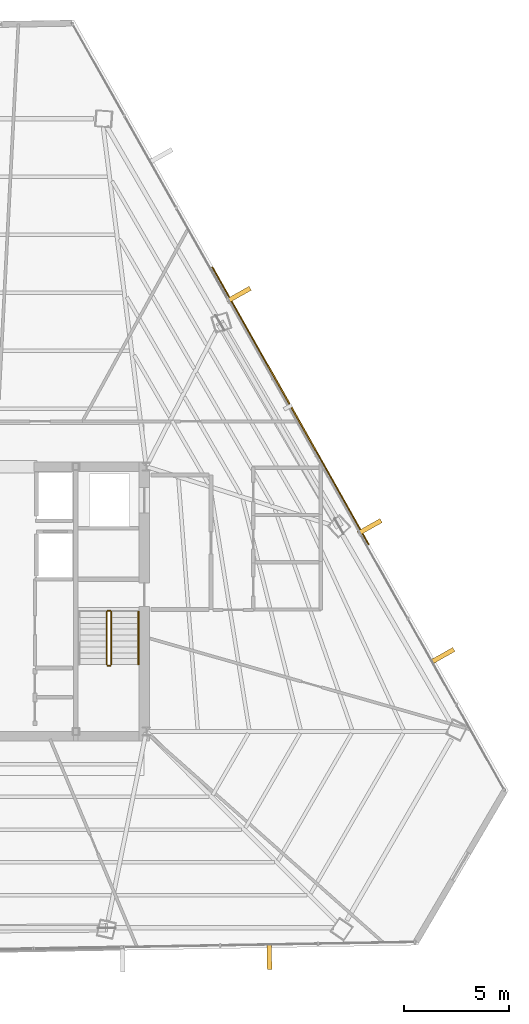
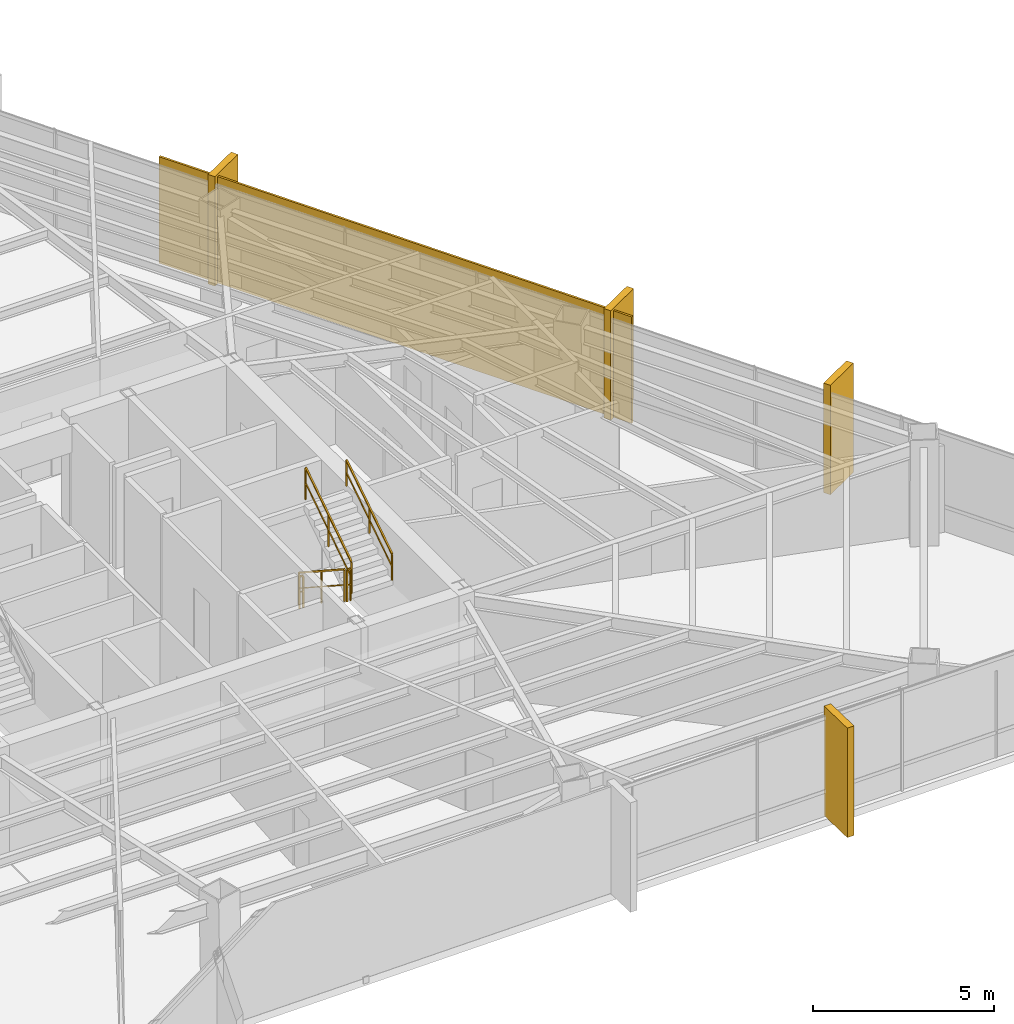
# One storey, part 41 of 42: 5 railings, 4 coverings, 1 shading device.
"""IFC4 building model written with IfcOpenShell, lengths in metres."""

from ifc_helpers import new_model, si_unit, direction, frame, origin, origin_2d, place, context, subcontext, project, spatial, rectangle, extrude, source, transform, mapped, material, layer, layer_set, type_object, type_shapes, element, save


model = new_model("IFC4")

# Units and contexts
model_context = context("Model", 3, precision=1e-05, world=origin(), true_north=direction((0.0, 1.0)))
body_context = subcontext(model_context, "Body", "Model", "MODEL_VIEW")
ifc_project = project(units=[si_unit("LENGTHUNIT", "METRE"), si_unit("AREAUNIT", "SQUARE_METRE"), si_unit("VOLUMEUNIT", "CUBIC_METRE"), si_unit("PLANEANGLEUNIT", "RADIAN"), si_unit("MASSUNIT", "GRAM", prefix="KILO")], contexts=[model_context])

# Site, building, storey
site_placement = place(None, origin())
site = spatial("IfcSite", under=ifc_project, at=site_placement, CompositionType="ELEMENT")
building_placement = place(site_placement, origin())
building = spatial("IfcBuilding", under=site, at=building_placement, Name="Caelisora Broadcast Tower", CompositionType="ELEMENT")
storey_placement = place(building_placement, frame((0.0, 0.0, 187.699951171875)))
storey = spatial("IfcBuildingStorey", under=building, at=storey_placement, Name="L49", CompositionType="ELEMENT", Elevation=187.699951171875)

# Railings
ifc_material_1 = material(Name="Galvanised Steel Safety Guardrail", Category="steel")
ifc_layer_1 = layer(ifc_material_1, 0.048095703125, Name="Galvanised Steel Safety Guardrail")
ifc_layer_set_1 = layer_set([ifc_layer_1], Name="Galvanised Steel Safety Guardrail")
railing_type_1 = type_object("IfcRailingType", Name="GR-1", PredefinedType="GUARDRAIL", material=ifc_layer_set_1)
railing_1_placement = place(storey_placement, frame((43.610107421875, 23.10009765625, 0.1826171875)))
element("IfcRailing", 1, at=railing_1_placement, inside=storey, type_object=railing_type_1, Name="L49 ST-2 stair guard 1", PredefinedType="GUARDRAIL", context=body_context, shape_type="SweptSolid", body=[
    extrude(rectangle(XDim=0.048095703125, YDim=0.048095703125, at=origin_2d()), frame((0.0, 0.0, 1.076171875), z_axis=(0.0, -0.837786554691, 0.545997883492), x_axis=(1.0, 0.0, 0.0)), (0.0, 0.0, 1.0), 3.008056640625),
    extrude(rectangle(XDim=0.03125, YDim=0.03125, at=origin_2d()), frame((0.0, 0.0, 0.550048828125), z_axis=(0.0, -0.837786554691, 0.545997883492), x_axis=(1.0, 0.0, 0.0)), (0.0, 0.0, 1.0), 3.008056640625),
    extrude(rectangle(XDim=0.0419921875, YDim=0.0419921875, at=origin_2d()), origin(), (0.0, 0.0, 1.0), 1.052001953125),
    extrude(rectangle(XDim=0.0419921875, YDim=0.0419921875, at=origin_2d()), frame((0.0, -1.260009765625, 0.8212890625)), (0.0, 0.0, 1.0), 1.052001953125),
    extrude(rectangle(XDim=0.0419921875, YDim=0.0419921875, at=origin_2d()), frame((0.0, -2.52001953125, 1.642333984375)), (0.0, 0.0, 1.0), 1.052001953125),
])
railing_2_placement = place(storey_placement, frame((43.659912109375, 20.530029296875, 1.824951171875)))
element("IfcRailing", 2, at=railing_2_placement, inside=storey, type_object=railing_type_1, Name="L49 ST-2 stair guard 2", PredefinedType="GUARDRAIL", context=body_context, shape_type="SweptSolid", body=[
    extrude(rectangle(XDim=0.048095703125, YDim=0.048095703125, at=origin_2d()), frame((0.0, 0.0, 1.076171875), z_axis=(1.0, 0.0, 0.0), x_axis=(0.0, 1.0, 0.0)), (0.0, 0.0, 1.0), 0.1201171875),
    extrude(rectangle(XDim=0.03125, YDim=0.03125, at=origin_2d()), frame((0.0, 0.0, 0.550048828125), z_axis=(1.0, 0.0, 0.0), x_axis=(0.0, 1.0, 0.0)), (0.0, 0.0, 1.0), 0.1201171875),
    extrude(rectangle(XDim=0.0419921875, YDim=0.0419921875, at=origin_2d()), origin(), (0.0, 0.0, 1.0), 1.052001953125),
    extrude(rectangle(XDim=0.0419921875, YDim=0.0419921875, at=origin_2d()), frame((0.1201171875, 0.0, 0.0)), (0.0, 0.0, 1.0), 1.052001953125),
])
railing_3_placement = place(storey_placement, frame((43.830078125, 20.580078125, 2.007568359375)))
element("IfcRailing", 3, at=railing_3_placement, inside=storey, type_object=railing_type_1, Name="L49 ST-2 stair guard 3", PredefinedType="GUARDRAIL", context=body_context, shape_type="SweptSolid", body=[
    extrude(rectangle(XDim=0.048095703125, YDim=0.048095703125, at=origin_2d()), frame((0.0, 0.0, 1.076171875), z_axis=(0.0, 0.837749427056, 0.546054848405), x_axis=(-1.0, 0.0, 0.0)), (0.0, 0.0, 1.0), 3.008056640625),
    extrude(rectangle(XDim=0.03125, YDim=0.03125, at=origin_2d()), frame((0.0, 0.0, 0.550048828125), z_axis=(0.0, 0.837749427056, 0.546054848405), x_axis=(-1.0, 0.0, 0.0)), (0.0, 0.0, 1.0), 3.008056640625),
    extrude(rectangle(XDim=0.0419921875, YDim=0.0419921875, at=origin_2d()), origin(), (0.0, 0.0, 1.0), 1.052001953125),
    extrude(rectangle(XDim=0.0419921875, YDim=0.0419921875, at=origin_2d()), frame((0.0, 1.260009765625, 0.8212890625)), (0.0, 0.0, 1.0), 1.052001953125),
    extrude(rectangle(XDim=0.0419921875, YDim=0.0419921875, at=origin_2d()), frame((0.0, 2.52001953125, 1.642578125)), (0.0, 0.0, 1.0), 1.052001953125),
])
railing_4_placement = place(storey_placement, frame((43.659912109375, 23.14990234375, 0.0)))
element("IfcRailing", 4, at=railing_4_placement, inside=storey, type_object=railing_type_1, Name="L49 ST-2 stair guard 4", PredefinedType="GUARDRAIL", context=body_context, shape_type="SweptSolid", body=[
    extrude(rectangle(XDim=0.048095703125, YDim=0.048095703125, at=origin_2d()), frame((0.0, 0.0, 1.076171875), z_axis=(1.0, 0.0, 0.0), x_axis=(0.0, 1.0, 0.0)), (0.0, 0.0, 1.0), 0.1201171875),
    extrude(rectangle(XDim=0.03125, YDim=0.03125, at=origin_2d()), frame((0.0, 0.0, 0.550048828125), z_axis=(1.0, 0.0, 0.0), x_axis=(0.0, 1.0, 0.0)), (0.0, 0.0, 1.0), 0.1201171875),
    extrude(rectangle(XDim=0.0419921875, YDim=0.0419921875, at=origin_2d()), origin(), (0.0, 0.0, 1.0), 1.052001953125),
    extrude(rectangle(XDim=0.0419921875, YDim=0.0419921875, at=origin_2d()), frame((0.1201171875, 0.0, 0.0)), (0.0, 0.0, 1.0), 1.052001953125),
])
ifc_material_2 = material(Name="Stainless Steel Grade 316 Tubular Handrail", Category="steel")
ifc_layer_2 = layer(ifc_material_2, 0.048095703125, Name="Stainless Steel Grade 316 Tubular Handrail")
ifc_layer_set_2 = layer_set([ifc_layer_2], Name="Stainless Steel Grade 316 Tubular Handrail")
railing_type_2 = type_object("IfcRailingType", Name="HR-1", PredefinedType="HANDRAIL", material=ifc_layer_set_2)
railing_5_placement = place(storey_placement, frame((45.1298828125, 20.580078125, 2.007568359375)))
element("IfcRailing", 5, at=railing_5_placement, inside=storey, type_object=railing_type_2, Name="L49 ST-2 stair handrail 2", PredefinedType="HANDRAIL", context=body_context, shape_type="SweptSolid", body=[
    extrude(rectangle(XDim=0.048095703125, YDim=0.048095703125, at=origin_2d()), frame((0.0, 0.0, 0.8759765625), z_axis=(0.0, 0.837749427056, 0.546054848405), x_axis=(-1.0, 0.0, 0.0)), (0.0, 0.0, 1.0), 3.008056640625),
    extrude(rectangle(XDim=0.03125, YDim=0.03125, at=origin_2d()), frame((0.0, 0.0, 0.449951171875), z_axis=(0.0, 0.837749427056, 0.546054848405), x_axis=(-1.0, 0.0, 0.0)), (0.0, 0.0, 1.0), 3.008056640625),
    extrude(rectangle(XDim=0.0419921875, YDim=0.0419921875, at=origin_2d()), origin(), (0.0, 0.0, 1.0), 0.851806640625),
    extrude(rectangle(XDim=0.0419921875, YDim=0.0419921875, at=origin_2d()), frame((0.0, 1.260009765625, 0.8212890625)), (0.0, 0.0, 1.0), 0.851806640625),
    extrude(rectangle(XDim=0.0419921875, YDim=0.0419921875, at=origin_2d()), frame((0.0, 2.52001953125, 1.642578125)), (0.0, 0.0, 1.0), 0.851806640625),
])

# Coverings
ifc_material_3 = material(Name="Kiln-Fired Terracotta Spandrel Rainscreen Cladding", Category="ceramic")
ifc_layer_3 = layer(ifc_material_3, 0.044921875, Name="Kiln-Fired Terracotta Spandrel Rainscreen Cladding")
ifc_layer_set_3 = layer_set([ifc_layer_3], Name="Kiln-Fired Terracotta Spandrel Rainscreen Cladding")
covering_type = type_object("IfcCoveringType", Name="CL-1", PredefinedType="CLADDING", material=ifc_layer_set_3)
shared_shape_1 = source(origin(), body_context, "Body", "SweptSolid", [
    extrude(rectangle(XDim=0.219970703125, YDim=1.25, at=origin_2d()), origin(), (0.0, 0.0, 1.0), 3.68994140625),
])
type_shapes(covering_type, [shared_shape_1])
for number, where, z_axis, x_axis, name in (
    (6, (49.901611328125, 38.18310546875, -0.02001953125), (0.0, 0.0, 1.0), (0.491055801632, -0.871128118983, 0.0), "L49 vertical solar fin cladding #1-2"),
    (7, (56.134033203125, 27.126953125, -0.02001953125), (0.0, 0.0, 1.0), (0.491055801632, -0.871128118983, 0.0), "L49 vertical solar fin cladding #1-3"),
    (8, (59.593505859375, 20.989990234375, -0.02001953125), (0.0, 0.0, 1.0), (0.491055801632, -0.871128118983, 0.0), "L49 vertical solar fin cladding #1-4"),
    (9, (51.35791015625, 6.690185546875, -0.02001953125), (0.0, 0.0, 1.0), (-0.999844633908, -0.017626912514, 0.0), "L49 vertical solar fin cladding #2-1"),
):
    element("IfcCovering", number, at=place(storey_placement, frame(where, z_axis=z_axis, x_axis=x_axis)), inside=storey, type_object=covering_type, Name=name, PredefinedType="CLADDING", context=body_context, shape_type="MappedRepresentation", body=[
        mapped(shared_shape_1, transform((0.0, 0.0, 0.0), scale=1.0)),
    ])

# Shading device
ifc_material_4 = material(Name="Perforated Glazed Terracotta Baguette Solar Screen", Category="ceramic")
ifc_layer_4 = layer(ifc_material_4, 0.06494140625, Name="Perforated Glazed Terracotta Baguette Solar Screen")
ifc_layer_set_4 = layer_set([ifc_layer_4], Name="Perforated Glazed Terracotta Baguette Solar Screen")
shading_device_type = type_object("IfcShadingDeviceType", Name="SS-1", PredefinedType="USERDEFINED", material=ifc_layer_set_4)
shared_shape_2 = source(origin(), body_context, "Body", "SweptSolid", [
    extrude(rectangle(XDim=15.158935546875, YDim=0.06494140625, at=origin_2d()), origin(), (0.0, 0.0, 1.0), 3.590087890625),
])
type_shapes(shading_device_type, [shared_shape_2])
shading_device_placement = place(storey_placement, frame((52.36474609375, 32.8974609375, 0.0), z_axis=(0.0, 0.0, 1.0), x_axis=(-0.491055801632, 0.871128118983, 0.0)))
element("IfcShadingDevice", 10, at=shading_device_placement, inside=storey, type_object=shading_device_type, Name="L49 perforated terracotta solar screen #3", ObjectType="SOLAR SCREEN", PredefinedType="USERDEFINED", context=body_context, shape_type="MappedRepresentation", body=[
    mapped(shared_shape_2, transform((0.0, 0.0, 0.0), scale=1.0)),
])

save(model, "model.ifc")
